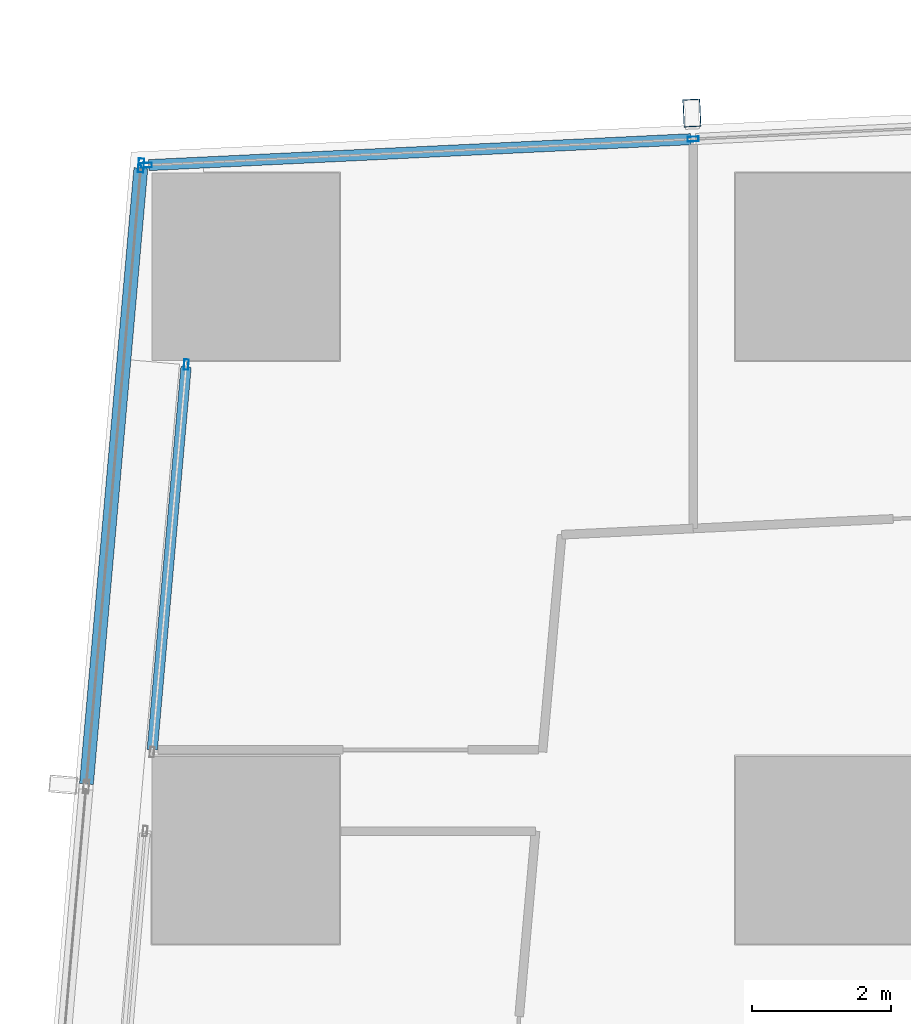
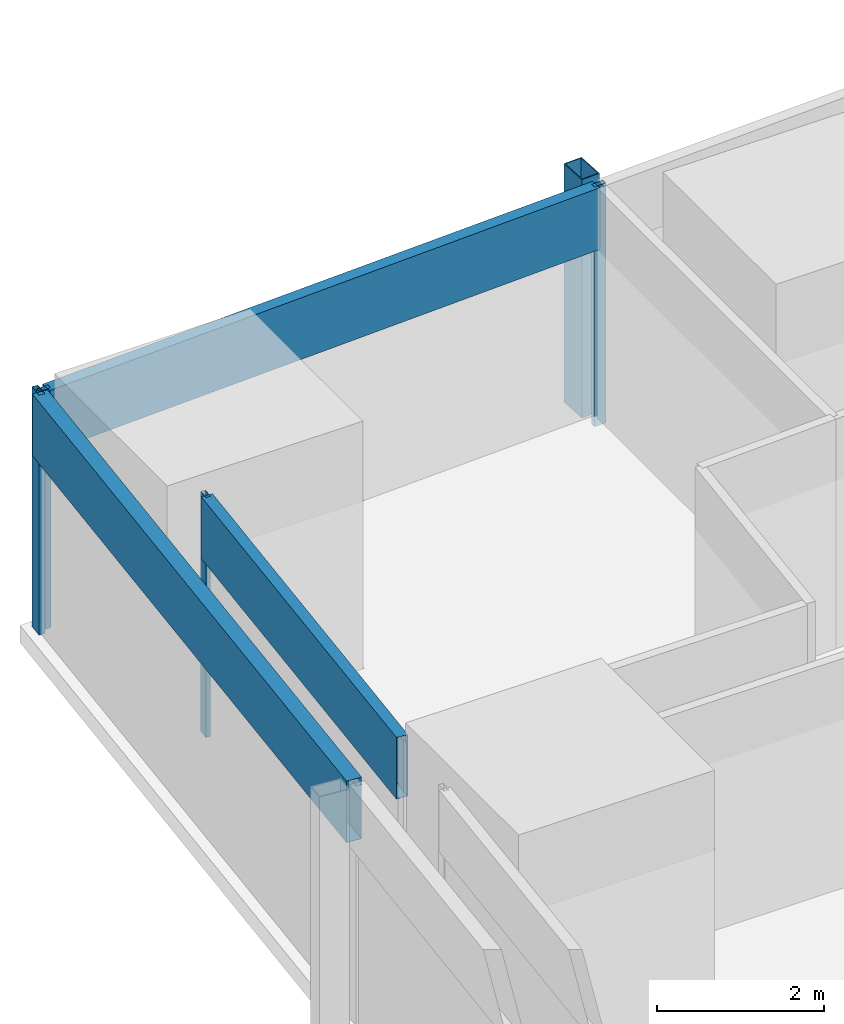
# One storey, part 15 of 36: 8 members, 3 elements without a shape of their own.
"""IFC4 building model written with IfcOpenShell, lengths in metres."""

from ifc_helpers import new_model, si_unit, direction, frame, origin, origin_2d, place, context, subcontext, project, spatial, hollow_rectangle, extrude, material, material_profile, profile_set, type_object, element, aggregate, save


model = new_model("IFC4")

# Units and contexts
model_context = context("Model", 3, precision=1e-05, world=origin(), true_north=direction((0.0, 1.0)))
body_context = subcontext(model_context, "Body", "Model", "MODEL_VIEW")
ifc_project = project(units=[si_unit("LENGTHUNIT", "METRE"), si_unit("AREAUNIT", "SQUARE_METRE"), si_unit("VOLUMEUNIT", "CUBIC_METRE"), si_unit("PLANEANGLEUNIT", "RADIAN"), si_unit("MASSUNIT", "GRAM", prefix="KILO")], contexts=[model_context])

# Site, building, storey
site_placement = place(None, origin())
site = spatial("IfcSite", under=ifc_project, at=site_placement, CompositionType="ELEMENT")
building_placement = place(site_placement, origin())
building = spatial("IfcBuilding", under=site, at=building_placement, Name="Rekha Terrace Tower", CompositionType="ELEMENT")
storey_placement = place(building_placement, frame((0.0, 0.0, 172.699951171875)))
storey = spatial("IfcBuildingStorey", under=building, at=storey_placement, Name="L43", CompositionType="ELEMENT", Elevation=172.699951171875)

# Curtain wall, member
ifc_material_1 = material(Name="Aluminium framing", Category="aluminium")
curtain_wall_type_1 = type_object("IfcCurtainWallType", Name="CW3 north unitised glazing", PredefinedType="USERDEFINED", material=ifc_material_1)
curtain_wall_1_placement = place(storey_placement, origin())
curtain_wall_1 = element("IfcCurtainWall", 1, at=curtain_wall_1_placement, inside=storey, type_object=curtain_wall_type_1, Name="CW3 unitised curtain wall", ObjectType="UNITISED CURTAIN WALL", PredefinedType="USERDEFINED")
ifc_material_2 = material(Name="Steel S355 with fluorocarbon finish", Category="steel")
ifc_material_profile_1 = material_profile(ifc_material_2, hollow_rectangle(XDim=0.25, YDim=0.39990234375, WallThickness=0.012451171875, at=origin_2d()), Name="RHS400x250x12.5")
ifc_profile_set_1 = profile_set([ifc_material_profile_1], Name="Steel S355 with fluorocarbon finish")
member_type_1 = type_object("IfcMemberType", Name="BL1 facade blade RHS 400 x 250", PredefinedType="USERDEFINED", material=ifc_profile_set_1)
member_1_placement = place(storey_placement, frame((14.824951171875, 61.01123046875, 0.02001953125), z_axis=(0.0, 0.0, 1.0), x_axis=(-0.998858913274, -0.04775846913, 0.0)))
member_1 = element("IfcMember", 2, at=member_1_placement, type_object=member_type_1, Name="Facade blade", ObjectType="FACADE BLADE", PredefinedType="USERDEFINED", context=body_context, shape_type="SweptSolid", body=[
    extrude(hollow_rectangle(XDim=0.25, YDim=0.39990234375, WallThickness=0.012451171875, at=origin_2d()), origin(), (0.0, 0.0, 1.0), 3.47998046875),
])

# Curtain wall, members
curtain_wall_type_2 = type_object("IfcCurtainWallType", Name="CW1 double skin inner glazing", PredefinedType="USERDEFINED", material=ifc_material_1)
curtain_wall_2_placement = place(storey_placement, origin())
curtain_wall_2 = element("IfcCurtainWall", 3, at=curtain_wall_2_placement, inside=storey, type_object=curtain_wall_type_2, Name="CW1 double skin inner glazing", ObjectType="DOUBLE SKIN INNER GLAZING", PredefinedType="USERDEFINED")
ifc_material_3 = material(Name="Aluminium mullion section", Category="aluminium")
ifc_material_profile_2 = material_profile(ifc_material_3, hollow_rectangle(XDim=0.06494140625, YDim=0.14990234375, WallThickness=0.00390625, at=origin_2d()), Name="AL RHS 65x150")
ifc_profile_set_2 = profile_set([ifc_material_profile_2], Name="Aluminium mullion section")
member_type_2 = type_object("IfcMemberType", Name="CW1 mullion RHS 65 x 150", PredefinedType="MULLION", material=ifc_profile_set_2)
member_2_placement = place(storey_placement, frame((7.5439453125, 57.389404296875, 0.0), z_axis=(0.0, 0.0, 1.0), x_axis=(0.996124185428, -0.087957985453, 0.0)))
member_2 = element("IfcMember", 4, at=member_2_placement, type_object=member_type_2, Name="CW1 mullion 1", PredefinedType="MULLION", context=body_context, shape_type="SweptSolid", body=[
    extrude(hollow_rectangle(XDim=0.06494140625, YDim=0.14990234375, WallThickness=0.00390625, at=origin_2d()), origin(), (0.0, 0.0, 1.0), 3.5),
])
ifc_material_4 = material(Name="Insulated aluminium spandrel box", Category="aluminium")
ifc_material_profile_3 = material_profile(ifc_material_4, hollow_rectangle(XDim=0.14990234375, YDim=0.89990234375, WallThickness=0.0029296875, at=origin_2d()), Name="AL SPANDREL BOX 150x900")
ifc_profile_set_3 = profile_set([ifc_material_profile_3], Name="Insulated aluminium spandrel box")
member_type_3 = type_object("IfcMemberType", Name="CW1 spandrel transom 150 x 900", PredefinedType="USERDEFINED", material=ifc_profile_set_3)
member_3_placement = place(storey_placement, frame((7.541015625, 57.35693359375, 3.050048828125), z_axis=(-0.087946585469, -0.996125191984, 0.0), x_axis=(0.996125191984, -0.087946585469, 0.0)))
member_3 = element("IfcMember", 5, at=member_3_placement, type_object=member_type_3, Name="CW1 spandrel transom 1", ObjectType="TRANSOM", PredefinedType="USERDEFINED", context=body_context, shape_type="SweptSolid", body=[
    extrude(hollow_rectangle(XDim=0.14990234375, YDim=0.89990234375, WallThickness=0.0029296875, at=origin_2d()), origin(), (0.0, 0.0, 1.0), 5.535400390625),
])
aggregate(curtain_wall_2, [member_2, member_3])

curtain_wall_type_3 = type_object("IfcCurtainWallType", Name="CW2 double skin outer glazing", PredefinedType="USERDEFINED", material=ifc_material_1)
curtain_wall_3_placement = place(storey_placement, origin())
curtain_wall_3 = element("IfcCurtainWall", 6, at=curtain_wall_3_placement, inside=storey, type_object=curtain_wall_type_3, Name="CW2 double skin outer glazing", ObjectType="DOUBLE SKIN OUTER GLAZING", PredefinedType="USERDEFINED")
ifc_material_profile_4 = material_profile(ifc_material_3, hollow_rectangle(XDim=0.080078125, YDim=0.199951171875, WallThickness=0.00390625, at=origin_2d()), Name="AL RHS 80x200")
ifc_profile_set_4 = profile_set([ifc_material_profile_4], Name="Aluminium mullion section")
member_type_4 = type_object("IfcMemberType", Name="CW2 mullion RHS 80 x 200", PredefinedType="MULLION", material=ifc_profile_set_4)
member_4_placement = place(storey_placement, frame((6.8935546875, 60.257080078125, 0.0), z_axis=(0.0, 0.0, 1.0), x_axis=(0.996124185428, -0.087957985453, 0.0)))
member_4 = element("IfcMember", 7, at=member_4_placement, type_object=member_type_4, Name="CW2 mullion 1", PredefinedType="MULLION", context=body_context, shape_type="SweptSolid", body=[
    extrude(hollow_rectangle(XDim=0.080078125, YDim=0.199951171875, WallThickness=0.00390625, at=origin_2d()), origin(), (0.0, 0.0, 1.0), 3.5),
])
ifc_material_profile_5 = material_profile(ifc_material_4, hollow_rectangle(XDim=0.199951171875, YDim=0.89990234375, WallThickness=0.0029296875, at=origin_2d()), Name="AL SPANDREL BOX 200x900")
ifc_profile_set_5 = profile_set([ifc_material_profile_5], Name="Insulated aluminium spandrel box")
member_type_5 = type_object("IfcMemberType", Name="CW2 spandrel transom 200 x 900", PredefinedType="USERDEFINED", material=ifc_profile_set_5)
member_5_placement = place(storey_placement, frame((6.89013671875, 60.217041015625, 3.050048828125), z_axis=(-0.08797787529, -0.996122428951, 0.0), x_axis=(0.996122428951, -0.08797787529, 0.0)))
member_5 = element("IfcMember", 8, at=member_5_placement, type_object=member_type_5, Name="CW2 spandrel transom 1", ObjectType="TRANSOM", PredefinedType="USERDEFINED", context=body_context, shape_type="SweptSolid", body=[
    extrude(hollow_rectangle(XDim=0.199951171875, YDim=0.89990234375, WallThickness=0.0029296875, at=origin_2d()), origin(), (0.0, 0.0, 1.0), 8.8994140625),
])
aggregate(curtain_wall_3, [member_4, member_5])

# Member
ifc_material_profile_6 = material_profile(ifc_material_3, hollow_rectangle(XDim=0.070068359375, YDim=0.159912109375, WallThickness=0.00390625, at=origin_2d()), Name="AL RHS 70x160")
ifc_profile_set_6 = profile_set([ifc_material_profile_6], Name="Aluminium mullion section")
member_type_6 = type_object("IfcMemberType", Name="CW3 mullion RHS 70 x 160", PredefinedType="MULLION", material=ifc_profile_set_6)
member_6_placement = place(storey_placement, frame((14.843017578125, 60.63671875, 0.0), z_axis=(0.0, 0.0, 1.0), x_axis=(0.047758616983, -0.998858906204, 0.0)))
member_6 = element("IfcMember", 9, at=member_6_placement, type_object=member_type_6, Name="CW3 mullion 5", PredefinedType="MULLION", context=body_context, shape_type="SweptSolid", body=[
    extrude(hollow_rectangle(XDim=0.070068359375, YDim=0.159912109375, WallThickness=0.00390625, at=origin_2d()), origin(), (0.0, 0.0, 1.0), 3.5),
])

member_7_placement = place(storey_placement, frame((6.96875, 60.26025390625, 0.0), z_axis=(0.0, 0.0, 1.0), x_axis=(0.047758616983, -0.998858906204, 0.0)))
member_7 = element("IfcMember", 10, at=member_7_placement, type_object=member_type_6, Name="CW3 mullion 6", PredefinedType="MULLION", context=body_context, shape_type="SweptSolid", body=[
    extrude(hollow_rectangle(XDim=0.070068359375, YDim=0.159912109375, WallThickness=0.00390625, at=origin_2d()), origin(), (0.0, 0.0, 1.0), 3.5),
])

ifc_material_profile_7 = material_profile(ifc_material_4, hollow_rectangle(XDim=0.159912109375, YDim=0.89990234375, WallThickness=0.0029296875, at=origin_2d()), Name="AL SPANDREL BOX 160x900")
ifc_profile_set_7 = profile_set([ifc_material_profile_7], Name="Insulated aluminium spandrel box")
member_type_7 = type_object("IfcMemberType", Name="CW3 spandrel transom 160 x 900", PredefinedType="USERDEFINED", material=ifc_profile_set_7)
member_8_placement = place(storey_placement, frame((14.807861328125, 60.635009765625, 3.050048828125), z_axis=(-0.998859425172, -0.047747761666, 0.0), x_axis=(0.047747761666, -0.998859425172, 0.0)))
member_8 = element("IfcMember", 11, at=member_8_placement, type_object=member_type_7, Name="CW3 spandrel transom 5", ObjectType="TRANSOM", PredefinedType="USERDEFINED", context=body_context, shape_type="SweptSolid", body=[
    extrude(hollow_rectangle(XDim=0.159912109375, YDim=0.89990234375, WallThickness=0.0029296875, at=origin_2d()), origin(), (0.0, 0.0, 1.0), 7.81298828125),
])

aggregate(curtain_wall_1, [member_6, member_7, member_8, member_1])

save(model, "model.ifc")
